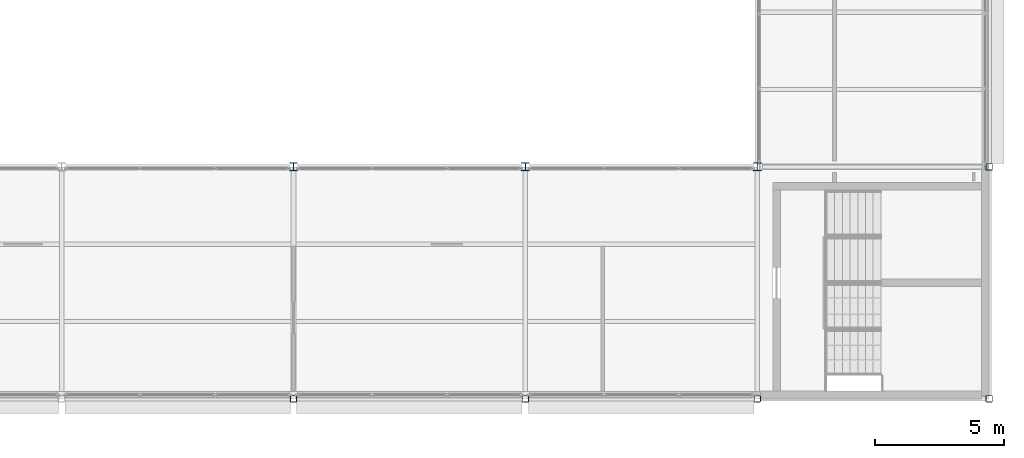
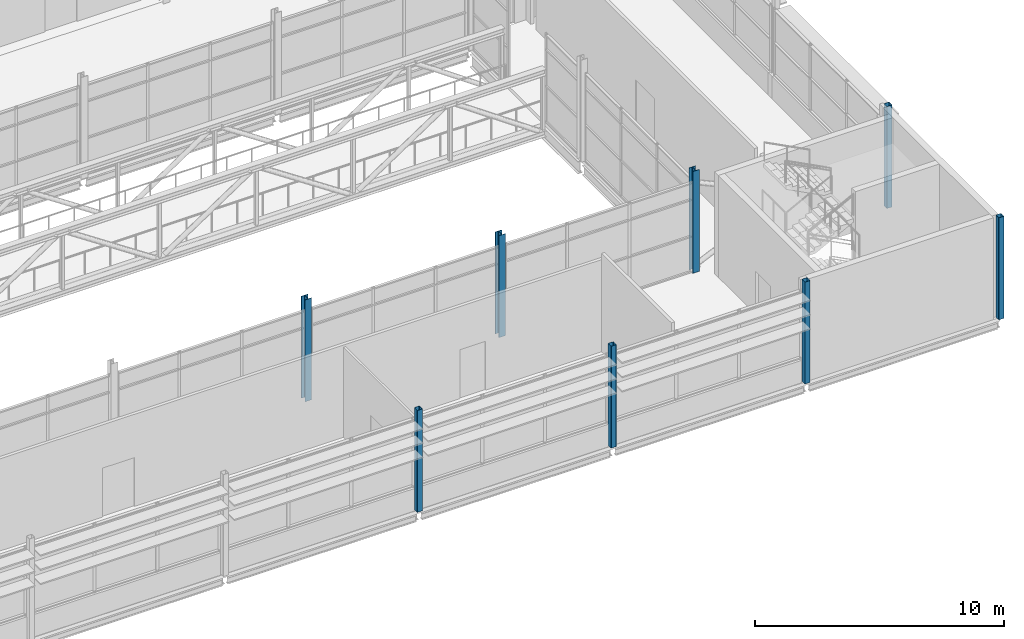
# One storey, part 3 of 94: 8 columns.
"""IFC4 building model written with IfcOpenShell, lengths in metres."""

from ifc_helpers import new_model, si_unit, direction, frame, origin, origin_2d, place, context, subcontext, project, spatial, hollow_rectangle, i_section, extrude, material, material_profile, profile_set, type_object, element, save


model = new_model("IFC4")

# Units and contexts
model_context = context("Model", 3, precision=1e-05, world=origin(), true_north=direction((0.0, 1.0)))
body_context = subcontext(model_context, "Body", "Model", "MODEL_VIEW")
ifc_project = project(units=[si_unit("LENGTHUNIT", "METRE"), si_unit("AREAUNIT", "SQUARE_METRE"), si_unit("VOLUMEUNIT", "CUBIC_METRE"), si_unit("PLANEANGLEUNIT", "RADIAN"), si_unit("MASSUNIT", "GRAM", prefix="KILO")], contexts=[model_context])

# Site, building, storey
site_placement = place(None, origin())
site = spatial("IfcSite", under=ifc_project, at=site_placement, CompositionType="ELEMENT")
building_placement = place(site_placement, origin())
building = spatial("IfcBuilding", under=site, at=building_placement, Name="Shorebreak Coast Museum", CompositionType="ELEMENT")
storey_placement = place(building_placement, frame((0.0, 0.0, 31.0)))
storey = spatial("IfcBuildingStorey", under=building, at=storey_placement, Name="L05", CompositionType="ELEMENT", Elevation=31.0)

# Columns
ifc_material_1 = material(Name="Steel Grade C450L0", Category="steel")
ifc_material_profile_1 = material_profile(ifc_material_1, hollow_rectangle(XDim=0.25, YDim=0.25, WallThickness=0.009033203125, InnerFilletRadius=0.013427734375, OuterFilletRadius=0.0224609375, at=origin_2d()), Name="250x250x9.0 SHS")
ifc_profile_set_1 = profile_set([ifc_material_profile_1], Name="Steel Grade C450L0")
column_type_1 = type_object("IfcColumnType", Name="Column 250x250x9.0 SHS", PredefinedType="COLUMN", material=ifc_profile_set_1)
for number, where, z_axis, x_axis, name in (
    (1, (90.0, 54.0, 0.0), (0.0, 0.0, 1.0), (1.0, 0.0, 0.0), "Column L05 11G"),
    (2, (99.0, 54.0, 0.0), (0.0, 0.0, 1.0), (1.0, 0.0, 0.0), "Column L05 12G"),
    (3, (108.0, 54.0, 0.0), (0.0, 0.0, 1.0), (1.0, 0.0, 0.0), "Column L05 13G"),
    (4, (117.0, 54.0, 0.0), (0.0, 0.0, 1.0), (1.0, 0.0, 0.0), "Column L05 14G"),
    (5, (117.0, 63.0, 0.0), (0.0, 0.0, 1.0), (1.0, 0.0, 0.0), "Column L05 14H"),
):
    element("IfcColumn", number, at=place(storey_placement, frame(where, z_axis=z_axis, x_axis=x_axis)), inside=storey, type_object=column_type_1, Name=name, PredefinedType="COLUMN", context=body_context, shape_type="SweptSolid", body=[
        extrude(hollow_rectangle(XDim=0.25, YDim=0.25, WallThickness=0.009033203125, InnerFilletRadius=0.013427734375, OuterFilletRadius=0.0224609375, at=origin_2d()), origin(), (0.0, 0.0, 1.0), 5.0),
    ])
ifc_material_2 = material(Name="Steel Grade 300", Category="steel")
ifc_material_profile_2 = material_profile(ifc_material_2, i_section(OverallWidth=0.306884765625, OverallDepth=0.314697265625, WebThickness=0.011962890625, FlangeThickness=0.018798828125, FilletRadius=0.0166015625, at=origin_2d()), Name="310UC118")
ifc_profile_set_2 = profile_set([ifc_material_profile_2], Name="Steel Grade 300")
column_type_2 = type_object("IfcColumnType", Name="Column 310UC118", PredefinedType="COLUMN", material=ifc_profile_set_2)
for number, where, z_axis, x_axis, name in (
    (6, (90.0, 63.0, 0.0), (0.0, 0.0, 1.0), (1.0, 0.0, 0.0), "Column L05 11H"),
    (7, (99.0, 63.0, 0.0), (0.0, 0.0, 1.0), (1.0, 0.0, 0.0), "Column L05 12H"),
    (8, (108.0, 63.0, 0.0), (0.0, 0.0, 1.0), (1.0, 0.0, 0.0), "Column L05 13H"),
):
    element("IfcColumn", number, at=place(storey_placement, frame(where, z_axis=z_axis, x_axis=x_axis)), inside=storey, type_object=column_type_2, Name=name, PredefinedType="COLUMN", context=body_context, shape_type="SweptSolid", body=[
        extrude(i_section(OverallWidth=0.306884765625, OverallDepth=0.314697265625, WebThickness=0.011962890625, FlangeThickness=0.018798828125, FilletRadius=0.0166015625, at=origin_2d()), origin(), (0.0, 0.0, 1.0), 5.0),
    ])

save(model, "model.ifc")
